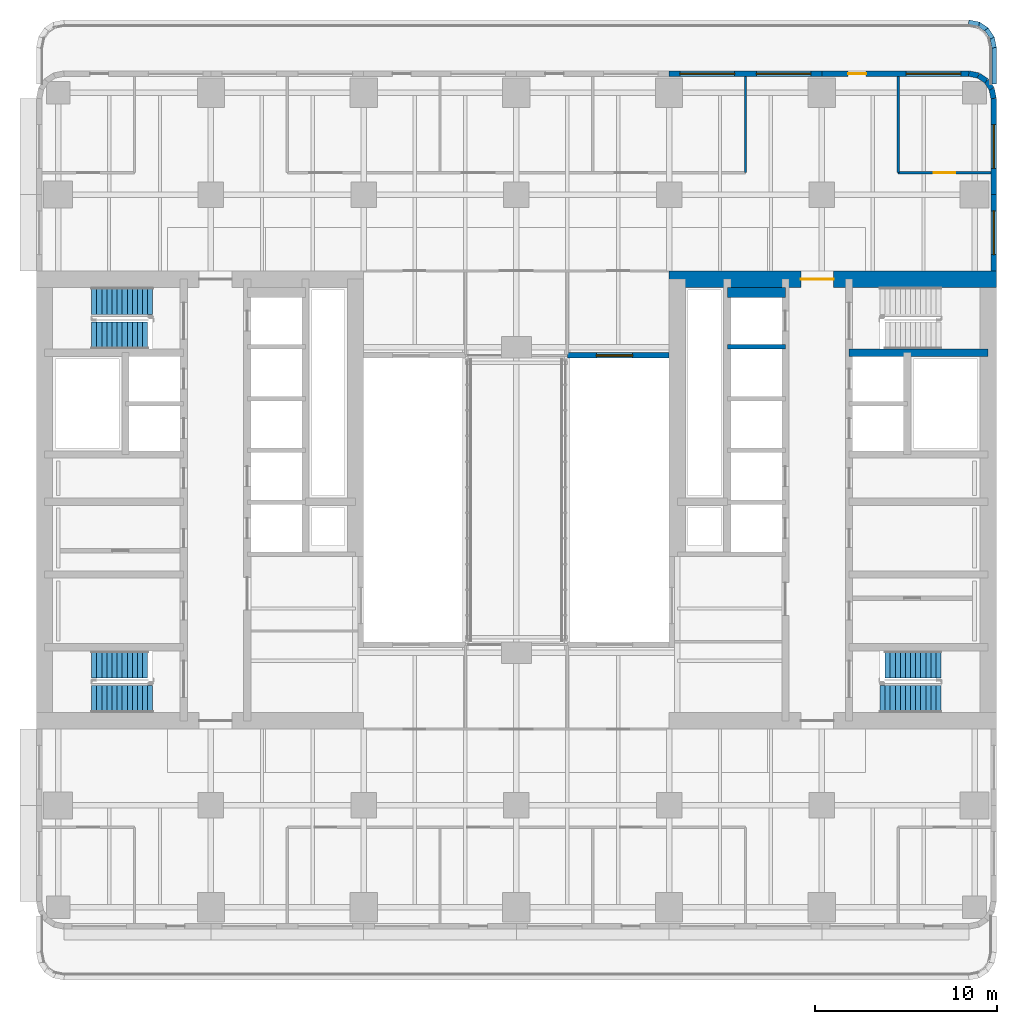
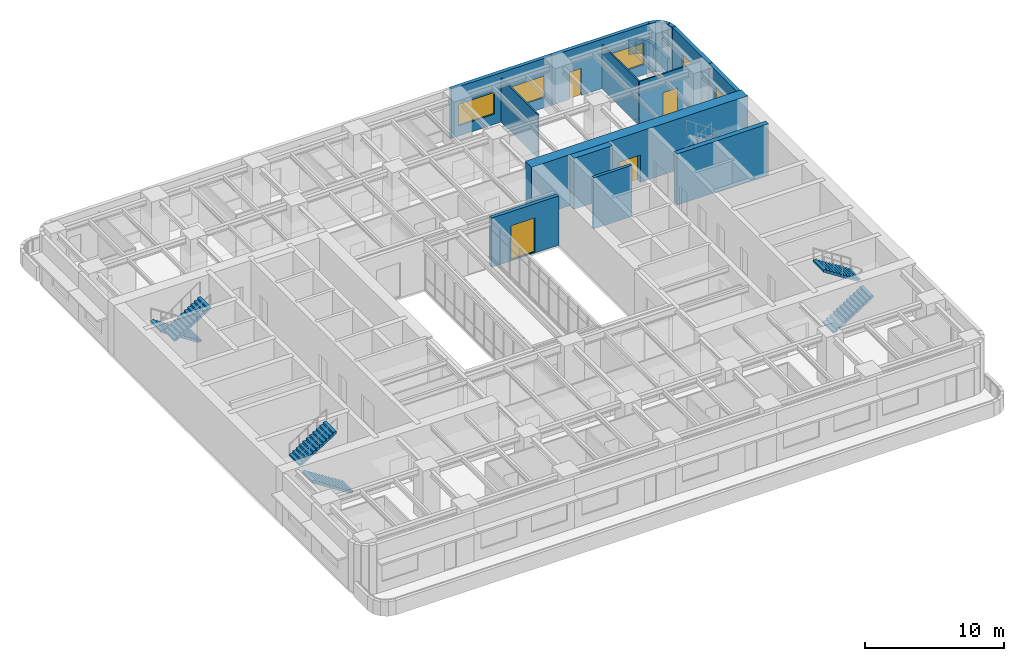
# One storey, part 12 of 17: 21 walls, 6 stair flights, 6 windows, 3 doors, 9 openings, 3 elements without a shape of their own.
"""IFC4 building model written with IfcOpenShell, lengths in metres."""

from ifc_helpers import new_model, si_unit, direction, frame, frame_2d, origin, place, context, subcontext, project, spatial, polyline, rectangle, outline, extrude, material, layer, layer_set, type_object, element, fill, aggregate, save


model = new_model("IFC4")

# Units and contexts
model_context = context("Model", 3, precision=1e-05, world=origin(), true_north=direction((0.0, 1.0)))
body_context = subcontext(model_context, "Body", "Model", "MODEL_VIEW")
ifc_project = project(units=[si_unit("LENGTHUNIT", "METRE"), si_unit("AREAUNIT", "SQUARE_METRE"), si_unit("VOLUMEUNIT", "CUBIC_METRE"), si_unit("PLANEANGLEUNIT", "RADIAN"), si_unit("MASSUNIT", "GRAM", prefix="KILO")], contexts=[model_context])

# Site, building, storey
site_placement = place(None, origin())
site = spatial("IfcSite", under=ifc_project, at=site_placement, CompositionType="ELEMENT")
building_placement = place(site_placement, origin())
building = spatial("IfcBuilding", under=site, at=building_placement, Name="Claustro Exchange Tower", CompositionType="ELEMENT")
storey_placement = place(building_placement, frame((0.0, 0.0, 96.300048828125)))
storey = spatial("IfcBuildingStorey", under=building, at=storey_placement, Name="L21", CompositionType="ELEMENT", Elevation=96.300048828125)

# Wall
ifc_material_1 = material(Name="Laminated glass in aluminium frame", Category="aluminium")
ifc_layer_1 = layer(ifc_material_1, 0.1201171875)
ifc_layer_set_1 = layer_set([ifc_layer_1], Name="Laminated glass in aluminium frame")
wall_type_1 = type_object("IfcWallType", Name="P2 120 glazed partition", PredefinedType="PARTITIONING", material=ifc_layer_set_1)
wall_1_placement = place(storey_placement, frame((37.800048828125, 43.199951171875, 0.0), z_axis=(0.0, 0.0, 1.0), x_axis=(0.0, 1.0, 0.0)))
element("IfcWall", 1, at=wall_1_placement, inside=storey, type_object=wall_type_1, Name="Partition P2 L21", PredefinedType="PARTITIONING", context=body_context, shape_type="SweptSolid", body=[
    extrude(rectangle(XDim=5.302001953125, YDim=0.1201171875, at=frame_2d((2.65087890625, 0.0))), origin(), (0.0, 0.0, 1.0), 3.85986328125),
])

# Wall, opening, door
wall_2_placement = place(storey_placement, frame((46.199951171875, 43.199951171875, 0.0), z_axis=(0.0, 0.0, 1.0), x_axis=(1.0, 0.0, 0.0)))
wall_2 = element("IfcWall", 2, at=wall_2_placement, inside=storey, type_object=wall_type_1, Name="Partition P2 L21", PredefinedType="PARTITIONING", context=body_context, shape_type="SweptSolid", body=[
    extrude(rectangle(XDim=5.10205078125, YDim=0.1201171875, at=frame_2d((2.551025390625, 0.0))), origin(), (0.0, 0.0, 1.0), 3.85986328125),
])
opening_1_placement = place(wall_2_placement, frame((1.949951171875, 0.0, 0.0)))
opening_1 = element("IfcOpeningElement", 3, at=opening_1_placement, cuts=wall_2, Name="Opening D6", PredefinedType="OPENING", context=body_context, shape_type="SweptSolid", body=[
    extrude(rectangle(XDim=1.199951171875, YDim=2.199951171875, at=frame_2d((0.60009765625, 1.10009765625))), frame((0.0, 0.070068359375, 0.0), z_axis=(0.0, -1.0, 0.0), x_axis=(1.0, 0.0, 0.0)), (0.0, 0.0, 1.0), 0.14013671875),
])
ifc_material_2 = material(Name="Timber door, oak veneer", Category="wood")
door_type_1 = type_object("IfcDoorType", Name="D6 1200 x 2200 unequal pair door", OperationType="DOUBLE_DOOR_SINGLE_SWING_OPPOSITE_LEFT", PredefinedType="DOOR", material=ifc_material_2)
door_1_placement = place(opening_1_placement, origin())
door_1 = element("IfcDoor", 4, at=door_1_placement, inside=storey, type_object=door_type_1, Name="Door D6 L21", OperationType="DOUBLE_DOOR_SINGLE_SWING_OPPOSITE_LEFT", OverallHeight=2.199951171875, OverallWidth=1.199951171875, PredefinedType="DOOR", context=body_context, shape_type="SweptSolid", body=[
    extrude(rectangle(XDim=1.199951171875, YDim=2.199951171875, at=frame_2d((0.60009765625, 1.10009765625))), frame((0.0, 0.02490234375, 0.0), z_axis=(0.0, -1.0, 0.0), x_axis=(1.0, 0.0, 0.0)), (0.0, 0.0, 1.0), 0.050048828125),
])
fill(opening_1, door_1)

# Wall
wall_3_placement = place(storey_placement, frame((46.199951171875, 43.199951171875, 0.0), z_axis=(0.0, 0.0, 1.0), x_axis=(0.0, 1.0, 0.0)))
element("IfcWall", 5, at=wall_3_placement, inside=storey, type_object=wall_type_1, Name="Partition P2 L21", PredefinedType="PARTITIONING", context=body_context, shape_type="SweptSolid", body=[
    extrude(rectangle(XDim=5.302001953125, YDim=0.1201171875, at=frame_2d((2.65087890625, 0.0))), origin(), (0.0, 0.0, 1.0), 3.85986328125),
])

# Wall, openings, windows
ifc_material_3 = material(Name="Concrete HA-40 (C40/50), precast, white cement, acid-etched", Category="concrete")
ifc_layer_2 = layer(ifc_material_3, 0.300048828125)
ifc_layer_set_2 = layer_set([ifc_layer_2], Name="Concrete HA-40 (C40/50), precast, white cement, acid-etched")
wall_type_2 = type_object("IfcWallType", Name="PC1 300 precast concrete pier panel", PredefinedType="SOLIDWALL", material=ifc_layer_set_2)
wall_4_placement = place(storey_placement, frame((33.60009765625, 48.64990234375, 0.0), z_axis=(0.0, 0.0, 1.0), x_axis=(1.0, 0.0, 0.0)))
wall_4 = element("IfcWall", 6, at=wall_4_placement, inside=storey, type_object=wall_type_2, Name="Precast pier panel PC1 L21", PredefinedType="SOLIDWALL", context=body_context, shape_type="SweptSolid", body=[
    extrude(rectangle(XDim=8.39990234375, YDim=0.300048828125, at=frame_2d((4.199951171875, 0.0))), origin(), (0.0, 0.0, 1.0), 4.349853515625),
])
opening_2_placement = place(wall_4_placement, frame((0.60009765625, 0.0, 0.89990234375)))
opening_2 = element("IfcOpeningElement", 7, at=opening_2_placement, cuts=wall_4, Name="Opening W1", PredefinedType="OPENING", context=body_context, shape_type="SweptSolid", body=[
    extrude(rectangle(XDim=3.0, YDim=1.89990234375, at=frame_2d((1.5, 0.949951171875))), frame((0.0, 0.159912109375, 0.0), z_axis=(0.0, -1.0, 0.0), x_axis=(1.0, 0.0, 0.0)), (0.0, 0.0, 1.0), 0.320068359375),
])
opening_3_placement = place(wall_4_placement, frame((4.800048828125, 0.0, 0.89990234375)))
opening_3 = element("IfcOpeningElement", 8, at=opening_3_placement, cuts=wall_4, Name="Opening W1", PredefinedType="OPENING", context=body_context, shape_type="SweptSolid", body=[
    extrude(rectangle(XDim=3.0, YDim=1.89990234375, at=frame_2d((1.5, 0.949951171875))), frame((0.0, 0.159912109375, 0.0), z_axis=(0.0, -1.0, 0.0), x_axis=(1.0, 0.0, 0.0)), (0.0, 0.0, 1.0), 0.320068359375),
])
ifc_material_4 = material(Name="Aluminium frame, clear double glazing", Category="aluminium")
window_type_1 = type_object("IfcWindowType", Name="W1 3000 x 1900 window", PartitioningType="SINGLE_PANEL", PredefinedType="WINDOW", material=ifc_material_4)
window_1_placement = place(opening_2_placement, origin())
window_1 = element("IfcWindow", 9, at=window_1_placement, inside=storey, type_object=window_type_1, Name="Window W1 L21", OverallHeight=1.89990234375, OverallWidth=3.0, PartitioningType="SINGLE_PANEL", PredefinedType="WINDOW", context=body_context, shape_type="SweptSolid", body=[
    extrude(rectangle(XDim=3.0, YDim=1.89990234375, at=frame_2d((1.5, 0.949951171875))), frame((0.0, 0.030029296875, 0.0), z_axis=(0.0, -1.0, 0.0), x_axis=(1.0, 0.0, 0.0)), (0.0, 0.0, 1.0), 0.06005859375),
])
fill(opening_2, window_1)
window_2_placement = place(opening_3_placement, origin())
window_2 = element("IfcWindow", 10, at=window_2_placement, inside=storey, type_object=window_type_1, Name="Window W1 L21", OverallHeight=1.89990234375, OverallWidth=3.0, PartitioningType="SINGLE_PANEL", PredefinedType="WINDOW", context=body_context, shape_type="SweptSolid", body=[
    extrude(rectangle(XDim=3.0, YDim=1.89990234375, at=frame_2d((1.5, 0.949951171875))), frame((0.0, 0.030029296875, 0.0), z_axis=(0.0, -1.0, 0.0), x_axis=(1.0, 0.0, 0.0)), (0.0, 0.0, 1.0), 0.06005859375),
])
fill(opening_3, window_2)

# Wall, openings, door, window
wall_5_placement = place(storey_placement, frame((42.0, 48.64990234375, 0.0), z_axis=(0.0, 0.0, 1.0), x_axis=(1.0, 0.0, 0.0)))
wall_5 = element("IfcWall", 11, at=wall_5_placement, inside=storey, type_object=wall_type_2, Name="Precast pier panel PC1 L21", PredefinedType="SOLIDWALL", context=body_context, shape_type="SweptSolid", body=[
    extrude(rectangle(XDim=8.085205078125, YDim=0.300048828125, at=frame_2d((4.04248046875, 0.0))), origin(), (0.0, 0.0, 1.0), 4.349853515625),
])
opening_4_placement = place(wall_5_placement, frame((4.642578125, 0.0, 0.89990234375)))
opening_4 = element("IfcOpeningElement", 12, at=opening_4_placement, cuts=wall_5, Name="Opening W1", PredefinedType="OPENING", context=body_context, shape_type="SweptSolid", body=[
    extrude(rectangle(XDim=3.0, YDim=1.89990234375, at=frame_2d((1.5, 0.949951171875))), frame((0.0, 0.159912109375, 0.0), z_axis=(0.0, -1.0, 0.0), x_axis=(1.0, 0.0, 0.0)), (0.0, 0.0, 1.0), 0.320068359375),
])
opening_5_placement = place(wall_5_placement, frame((1.442626953125, 0.0, 0.0)))
opening_5 = element("IfcOpeningElement", 13, at=opening_5_placement, cuts=wall_5, Name="Opening D-T", PredefinedType="OPENING", context=body_context, shape_type="SweptSolid", body=[
    extrude(rectangle(XDim=1.0, YDim=2.39990234375, at=frame_2d((0.5, 1.199951171875))), frame((0.0, 0.159912109375, 0.0), z_axis=(0.0, -1.0, 0.0), x_axis=(1.0, 0.0, 0.0)), (0.0, 0.0, 1.0), 0.320068359375),
])
ifc_material_5 = material(Name="Aluminium frame, clear double glazing", Category="aluminium")
door_type_2 = type_object("IfcDoorType", Name="D-T 1000 x 2400 terrace door", OperationType="SINGLE_SWING_LEFT", PredefinedType="DOOR", material=ifc_material_5)
door_2_placement = place(opening_5_placement, origin())
door_2 = element("IfcDoor", 14, at=door_2_placement, inside=storey, type_object=door_type_2, Name="Terrace door D-T L21", OperationType="SINGLE_SWING_RIGHT", OverallHeight=2.39990234375, OverallWidth=1.0, PredefinedType="DOOR", context=body_context, shape_type="SweptSolid", body=[
    extrude(rectangle(XDim=1.0, YDim=2.39990234375, at=frame_2d((0.5, 1.199951171875))), frame((0.0, 0.02490234375, 0.0), z_axis=(0.0, -1.0, 0.0), x_axis=(1.0, 0.0, 0.0)), (0.0, 0.0, 1.0), 0.050048828125),
])
fill(opening_5, door_2)
window_3_placement = place(opening_4_placement, origin())
window_3 = element("IfcWindow", 15, at=window_3_placement, inside=storey, type_object=window_type_1, Name="Window W1 L21", OverallHeight=1.89990234375, OverallWidth=3.0, PartitioningType="SINGLE_PANEL", PredefinedType="WINDOW", context=body_context, shape_type="SweptSolid", body=[
    extrude(rectangle(XDim=3.0, YDim=1.89990234375, at=frame_2d((1.5, 0.949951171875))), frame((0.0, 0.030029296875, 0.0), z_axis=(0.0, -1.0, 0.0), x_axis=(1.0, 0.0, 0.0)), (0.0, 0.0, 1.0), 0.06005859375),
])
fill(opening_4, window_3)

# Walls
wall_6_placement = place(storey_placement, frame((50.085205078125, 48.64990234375, 0.0), z_axis=(0.0, 0.0, 1.0), x_axis=(0.980788534345, -0.195073962632, 0.0)))
element("IfcWall", 16, at=wall_6_placement, inside=storey, type_object=wall_type_2, Name="Precast pier panel PC1 L21", PredefinedType="SOLIDWALL", context=body_context, shape_type="SweptSolid", body=[
    extrude(rectangle(XDim=0.540771484375, YDim=0.300048828125, at=frame_2d((0.2705078125, 0.0))), origin(), (0.0, 0.0, 1.0), 4.349853515625),
])
wall_7_placement = place(storey_placement, frame((50.615478515625, 48.54443359375, 0.0), z_axis=(0.0, 0.0, 1.0), x_axis=(0.831692711774, -0.555236195849, 0.0)))
element("IfcWall", 17, at=wall_7_placement, inside=storey, type_object=wall_type_2, Name="Precast pier panel PC1 L21", PredefinedType="SOLIDWALL", context=body_context, shape_type="SweptSolid", body=[
    extrude(rectangle(XDim=0.525390625, YDim=0.300048828125, at=frame_2d((0.2626953125, 0.0))), origin(), (0.0, 0.0, 1.0), 4.349853515625),
])
wall_8_placement = place(storey_placement, frame((51.052490234375, 48.252685546875, 0.0), z_axis=(0.0, 0.0, 1.0), x_axis=(0.55534295404, -0.831621430339, 0.0)))
element("IfcWall", 18, at=wall_8_placement, inside=storey, type_object=wall_type_2, Name="Precast pier panel PC1 L21", PredefinedType="SOLIDWALL", context=body_context, shape_type="SweptSolid", body=[
    extrude(rectangle(XDim=0.52587890625, YDim=0.300048828125, at=frame_2d((0.262939453125, 0.0))), origin(), (0.0, 0.0, 1.0), 4.349853515625),
])
wall_9_placement = place(storey_placement, frame((51.344482421875, 47.8154296875, 0.0), z_axis=(0.0, 0.0, 1.0), x_axis=(0.195073962632, -0.980788534345, 0.0)))
element("IfcWall", 19, at=wall_9_placement, inside=storey, type_object=wall_type_2, Name="Precast pier panel PC1 L21", PredefinedType="SOLIDWALL", context=body_context, shape_type="SweptSolid", body=[
    extrude(rectangle(XDim=0.540771484375, YDim=0.300048828125, at=frame_2d((0.2705078125, 0.0))), origin(), (0.0, 0.0, 1.0), 4.349853515625),
])

# Wall, opening, window
wall_10_placement = place(storey_placement, frame((51.449951171875, 47.28515625, 0.0), z_axis=(0.0, 0.0, 1.0), x_axis=(0.0, -1.0, 0.0)))
wall_10 = element("IfcWall", 20, at=wall_10_placement, inside=storey, type_object=wall_type_2, Name="Precast pier panel PC1 L21", PredefinedType="SOLIDWALL", context=body_context, shape_type="SweptSolid", body=[
    extrude(rectangle(XDim=5.28515625, YDim=0.300048828125, at=frame_2d((2.642578125, 0.0))), origin(), (0.0, 0.0, 1.0), 4.349853515625),
])
opening_6_placement = place(wall_10_placement, frame((1.442626953125, 0.0, 0.89990234375)))
opening_6 = element("IfcOpeningElement", 21, at=opening_6_placement, cuts=wall_10, Name="Opening W2", PredefinedType="OPENING", context=body_context, shape_type="SweptSolid", body=[
    extrude(rectangle(XDim=2.39990234375, YDim=1.89990234375, at=frame_2d((1.199951171875, 0.949951171875))), frame((0.0, 0.159912109375, 0.0), z_axis=(0.0, -1.0, 0.0), x_axis=(1.0, 0.0, 0.0)), (0.0, 0.0, 1.0), 0.320068359375),
])
ifc_material_6 = material(Name="Aluminium frame, clear double glazing", Category="aluminium")
window_type_2 = type_object("IfcWindowType", Name="W2 2400 x 1900 window", PartitioningType="SINGLE_PANEL", PredefinedType="WINDOW", material=ifc_material_6)
window_4_placement = place(opening_6_placement, origin())
window_4 = element("IfcWindow", 22, at=window_4_placement, inside=storey, type_object=window_type_2, Name="Window W2 L21", OverallHeight=1.89990234375, OverallWidth=2.39990234375, PartitioningType="SINGLE_PANEL", PredefinedType="WINDOW", context=body_context, shape_type="SweptSolid", body=[
    extrude(rectangle(XDim=2.39990234375, YDim=1.89990234375, at=frame_2d((1.199951171875, 0.949951171875))), frame((0.0, 0.030029296875, 0.0), z_axis=(0.0, -1.0, 0.0), x_axis=(1.0, 0.0, 0.0)), (0.0, 0.0, 1.0), 0.06005859375),
])
fill(opening_6, window_4)

wall_11_placement = place(storey_placement, frame((51.449951171875, 42.0, 0.0), z_axis=(0.0, 0.0, 1.0), x_axis=(0.0, -1.0, 0.0)))
wall_11 = element("IfcWall", 23, at=wall_11_placement, inside=storey, type_object=wall_type_2, Name="Precast pier panel PC1 L21", PredefinedType="SOLIDWALL", context=body_context, shape_type="SweptSolid", body=[
    extrude(rectangle(XDim=4.199951171875, YDim=0.300048828125, at=frame_2d((2.10009765625, 0.0))), origin(), (0.0, 0.0, 1.0), 4.349853515625),
])
opening_7_placement = place(wall_11_placement, frame((0.89990234375, 0.0, 0.89990234375)))
opening_7 = element("IfcOpeningElement", 24, at=opening_7_placement, cuts=wall_11, Name="Opening W2", PredefinedType="OPENING", context=body_context, shape_type="SweptSolid", body=[
    extrude(rectangle(XDim=2.39990234375, YDim=1.89990234375, at=frame_2d((1.199951171875, 0.949951171875))), frame((0.0, 0.159912109375, 0.0), z_axis=(0.0, -1.0, 0.0), x_axis=(1.0, 0.0, 0.0)), (0.0, 0.0, 1.0), 0.320068359375),
])
window_5_placement = place(opening_7_placement, origin())
window_5 = element("IfcWindow", 25, at=window_5_placement, inside=storey, type_object=window_type_2, Name="Window W2 L21", OverallHeight=1.89990234375, OverallWidth=2.39990234375, PartitioningType="SINGLE_PANEL", PredefinedType="WINDOW", context=body_context, shape_type="SweptSolid", body=[
    extrude(rectangle(XDim=2.39990234375, YDim=1.89990234375, at=frame_2d((1.199951171875, 0.949951171875))), frame((0.0, 0.030029296875, 0.0), z_axis=(0.0, -1.0, 0.0), x_axis=(1.0, 0.0, 0.0)), (0.0, 0.0, 1.0), 0.06005859375),
])
fill(opening_7, window_5)

wall_12_placement = place(storey_placement, frame((28.0, 33.14990234375, 0.0), z_axis=(0.0, 0.0, 1.0), x_axis=(1.0, 0.0, 0.0)))
wall_12 = element("IfcWall", 26, at=wall_12_placement, inside=storey, type_object=wall_type_2, Name="Precast pier panel PC1 L21", PredefinedType="SOLIDWALL", context=body_context, shape_type="SweptSolid", body=[
    extrude(rectangle(XDim=5.60009765625, YDim=0.300048828125, at=frame_2d((2.800048828125, 0.0))), origin(), (0.0, 0.0, 1.0), 4.349853515625),
])
opening_8_placement = place(wall_12_placement, frame((1.60009765625, 0.0, 0.10009765625)))
opening_8 = element("IfcOpeningElement", 27, at=opening_8_placement, cuts=wall_12, Name="Opening W-A", PredefinedType="OPENING", context=body_context, shape_type="SweptSolid", body=[
    extrude(rectangle(XDim=2.0, YDim=3.0, at=frame_2d((1.0, 1.5))), frame((0.0, 0.159912109375, 0.0), z_axis=(0.0, -1.0, 0.0), x_axis=(1.0, 0.0, 0.0)), (0.0, 0.0, 1.0), 0.320068359375),
])
ifc_material_7 = material(Name="Aluminium frame, clear double glazing", Category="aluminium")
window_type_3 = type_object("IfcWindowType", Name="W-A 2000 x 3000 arcade window", PartitioningType="SINGLE_PANEL", PredefinedType="WINDOW", material=ifc_material_7)
window_6_placement = place(opening_8_placement, origin())
window_6 = element("IfcWindow", 28, at=window_6_placement, inside=storey, type_object=window_type_3, Name="Window W-A L21", OverallHeight=3.0, OverallWidth=2.0, PartitioningType="SINGLE_PANEL", PredefinedType="WINDOW", context=body_context, shape_type="SweptSolid", body=[
    extrude(rectangle(XDim=2.0, YDim=3.0, at=frame_2d((1.0, 1.5))), frame((0.0, 0.030029296875, 0.0), z_axis=(0.0, -1.0, 0.0), x_axis=(1.0, 0.0, 0.0)), (0.0, 0.0, 1.0), 0.06005859375),
])
fill(opening_8, window_6)

# Walls
ifc_material_8 = material(Name="Concrete HA-40 (C40/50), precast, white cement, acid-etched", Category="concrete")
ifc_layer_3 = layer(ifc_material_8, 0.25)
ifc_layer_set_3 = layer_set([ifc_layer_3], Name="Concrete HA-40 (C40/50), precast, white cement, acid-etched")
wall_type_3 = type_object("IfcWallType", Name="PP1 250 precast concrete parapet", PredefinedType="PARAPET", material=ifc_layer_set_3)
for number, where, z_axis, x_axis, name in (
    (29, (50.07568359375, 51.477294921875, -0.16015625), (0.0, 0.0, 1.0), (0.980836573739, -0.1948322756, 0.0), "Parapet PP1 roof at +96.140"),
    (30, (50.6044921875, 51.3818359375, -0.16015625), (0.0, 0.0, 1.0), (0.831729296682, -0.555181391115, 0.0), "Parapet PP1 roof at +96.140"),
    (31, (51.056884765625, 51.09130859375, -0.16015625), (0.0, 0.0, 1.0), (0.555181391115, -0.831729296682, 0.0), "Parapet PP1 roof at +96.140"),
    (32, (51.36328125, 50.649658203125, -0.16015625), (0.0, 0.0, 1.0), (0.1948322756, -0.980836573739, 0.0), "Parapet PP1 roof at +96.140"),
):
    element("IfcWall", number, at=place(storey_placement, frame(where, z_axis=z_axis, x_axis=x_axis)), inside=storey, type_object=wall_type_3, Name=name, PredefinedType="PARAPET", context=body_context, shape_type="SweptSolid", body=[
        extrude(rectangle(XDim=0.585205078125, YDim=0.25, at=frame_2d((0.29248046875, 0.0))), origin(), (0.0, 0.0, 1.0), 1.260009765625),
    ])
wall_13_placement = place(storey_placement, frame((51.47509765625, 50.10009765625, -0.16015625), z_axis=(0.0, 0.0, 1.0), x_axis=(0.0, -1.0, 0.0)))
element("IfcWall", 33, at=wall_13_placement, inside=storey, type_object=wall_type_3, Name="Parapet PP1 roof at +96.140", PredefinedType="PARAPET", context=body_context, shape_type="SweptSolid", body=[
    extrude(rectangle(XDim=2.023193359375, YDim=0.25, at=frame_2d((1.01171875, 0.0))), origin(), (0.0, 0.0, 1.0), 1.260009765625),
])

# Wall, opening, door
ifc_material_9 = material(Name="Concrete HA-70 (C70/85)", Category="concrete")
ifc_layer_4 = layer(ifc_material_9, 0.89990234375)
ifc_layer_set_4 = layer_set([ifc_layer_4], Name="Concrete HA-70 (C70/85)")
wall_type_4 = type_object("IfcWallType", Name="SW1 900 core shear wall", PredefinedType="SHEAR", material=ifc_layer_set_4)
wall_14_placement = place(storey_placement, frame((33.60009765625, 37.35009765625, 0.0), z_axis=(0.0, 0.0, 1.0), x_axis=(1.0, 0.0, 0.0)))
wall_14 = element("IfcWall", 34, at=wall_14_placement, inside=storey, type_object=wall_type_4, Name="Core wall SW1 E core N face L21", PredefinedType="SHEAR", context=body_context, shape_type="SweptSolid", body=[
    extrude(rectangle(XDim=18.0, YDim=0.89990234375, at=frame_2d((9.0, 0.0))), origin(), (0.0, 0.0, 1.0), 4.5),
])
opening_9_placement = place(wall_14_placement, frame((7.25, 0.0, 0.0)))
opening_9 = element("IfcOpeningElement", 35, at=opening_9_placement, cuts=wall_14, Name="Opening D3", PredefinedType="OPENING", context=body_context, shape_type="SweptSolid", body=[
    extrude(rectangle(XDim=1.800048828125, YDim=2.39990234375, at=frame_2d((0.89990234375, 1.199951171875))), frame((0.0, 0.4599609375, 0.0), z_axis=(0.0, -1.0, 0.0), x_axis=(1.0, 0.0, 0.0)), (0.0, 0.0, 1.0), 0.919921875),
])
ifc_material_10 = material(Name="Steel fire door, painted", Category="steel")
door_type_3 = type_object("IfcDoorType", Name="D3 1800 x 2400 fire-rated lobby double door", OperationType="DOUBLE_DOOR_SINGLE_SWING", PredefinedType="DOOR", material=ifc_material_10)
door_3_placement = place(opening_9_placement, frame((1.800048828125, 0.0, 0.0), z_axis=(0.0, 0.0, 1.0), x_axis=(-1.0, 0.0, 0.0)))
door_3 = element("IfcDoor", 36, at=door_3_placement, inside=storey, type_object=door_type_3, Name="Lift lobby door D3 L21", OperationType="DOUBLE_DOOR_SINGLE_SWING", OverallHeight=2.39990234375, OverallWidth=1.800048828125, PredefinedType="DOOR", context=body_context, shape_type="SweptSolid", body=[
    extrude(rectangle(XDim=1.800048828125, YDim=2.39990234375, at=frame_2d((0.89990234375, 1.199951171875))), frame((0.0, 0.02490234375, 0.0), z_axis=(0.0, -1.0, 0.0), x_axis=(1.0, 0.0, 0.0)), (0.0, 0.0, 1.0), 0.050048828125),
])
fill(opening_9, door_3)

# Walls
ifc_material_11 = material(Name="Concrete HA-50 (C50/60)", Category="concrete")
ifc_layer_5 = layer(ifc_material_11, 0.39990234375)
ifc_layer_set_5 = layer_set([ifc_layer_5], Name="Concrete HA-50 (C50/60)")
wall_type_5 = type_object("IfcWallType", Name="SW4 400 internal core wall", PredefinedType="SHEAR", material=ifc_layer_set_5)
wall_15_placement = place(storey_placement, frame((51.14990234375, 33.300048828125, 0.0), z_axis=(0.0, 0.0, 1.0), x_axis=(-1.0, 0.0, 0.0)))
element("IfcWall", 37, at=wall_15_placement, inside=storey, type_object=wall_type_5, Name="Internal core wall SW4 E core L21", PredefinedType="SHEAR", context=body_context, shape_type="SweptSolid", body=[
    extrude(rectangle(XDim=7.64990234375, YDim=0.39990234375, at=frame_2d((3.824951171875, 0.0))), origin(), (0.0, 0.0, 1.0), 4.5),
])
ifc_material_12 = material(Name="Concrete HA-50 (C50/60)", Category="concrete")
ifc_layer_6 = layer(ifc_material_12, 0.25)
ifc_layer_set_6 = layer_set([ifc_layer_6], Name="Concrete HA-50 (C50/60)")
wall_type_6 = type_object("IfcWallType", Name="SW5 250 lift shaft divider wall", PredefinedType="SHEAR", material=ifc_layer_set_6)
wall_16_placement = place(storey_placement, frame((40.0, 33.625, 0.0), z_axis=(0.0, 0.0, 1.0), x_axis=(-1.0, 0.0, 0.0)))
element("IfcWall", 38, at=wall_16_placement, inside=storey, type_object=wall_type_6, Name="Lift shaft wall E core L21", PredefinedType="SHEAR", context=body_context, shape_type="SweptSolid", body=[
    extrude(rectangle(XDim=3.199951171875, YDim=0.25, at=frame_2d((1.60009765625, 0.0))), origin(), (0.0, 0.0, 1.0), 4.5),
])
ifc_material_13 = material(Name="Concrete HA-50 (C50/60)", Category="concrete")
ifc_layer_7 = layer(ifc_material_13, 0.550048828125)
ifc_layer_set_7 = layer_set([ifc_layer_7], Name="Concrete HA-50 (C50/60)")
wall_type_7 = type_object("IfcWallType", Name="SW6 550 lift shaft end wall", PredefinedType="SHEAR", material=ifc_layer_set_7)
wall_17_placement = place(storey_placement, frame((40.0, 36.625, 0.0), z_axis=(0.0, 0.0, 1.0), x_axis=(-1.0, 0.0, 0.0)))
element("IfcWall", 39, at=wall_17_placement, inside=storey, type_object=wall_type_7, Name="Lift shaft wall E core L21", PredefinedType="SHEAR", context=body_context, shape_type="SweptSolid", body=[
    extrude(rectangle(XDim=3.199951171875, YDim=0.550048828125, at=frame_2d((1.60009765625, 0.0))), origin(), (0.0, 0.0, 1.0), 4.5),
])

# Stair, stair flight
ifc_material_14 = material(Name="Concrete HA-30 (C30/37), precast", Category="concrete")
stair_type = type_object("IfcStairType", Name="ST2 half-turn stair, 25 risers of 180", PredefinedType="HALF_TURN_STAIR", material=ifc_material_14)
stair_1_placement = place(storey_placement, origin())
stair_1 = element("IfcStair", 40, at=stair_1_placement, inside=storey, type_object=stair_type, Name="Stair STWA L21", PredefinedType="HALF_TURN_STAIR")
ifc_material_15 = material(Name="Concrete HA-30 (C30/37), precast", Category="concrete")
stair_flight_type_1 = type_object("IfcStairFlightType", Name="SF12B straight flight, 12 risers of 180, 1500 wide", PredefinedType="STRAIGHT", material=ifc_material_15)
stair_flight_1_placement = place(storey_placement, frame((1.840087890625, 16.14990234375, 2.33984375), z_axis=(0.0, 0.0, 1.0), x_axis=(1.0, 0.0, 0.0)))
stair_flight_1 = element("IfcStairFlight", 41, at=stair_flight_1_placement, type_object=stair_flight_type_1, Name="STWA flight 2", NumberOfRisers=12, NumberOfTreads=11, PredefinedType="STRAIGHT", RiserHeight=0.18, TreadLength=0.28, context=body_context, shape_type="SweptSolid", body=[
    extrude(outline(polyline([(0.0, 0.0), (0.0, 0.179931640625), (0.280029296875, 0.179931640625), (0.280029296875, 0.360107421875), (0.56005859375, 0.360107421875), (0.56005859375, 0.5400390625), (0.840087890625, 0.5400390625), (0.840087890625, 0.719970703125), (1.1201171875, 0.719970703125), (1.1201171875, 0.89990234375), (1.39990234375, 0.89990234375), (1.39990234375, 1.080078125), (1.679931640625, 1.080078125), (1.679931640625, 1.260009765625), (1.9599609375, 1.260009765625), (1.9599609375, 1.43994140625), (2.239990234375, 1.43994140625), (2.239990234375, 1.6201171875), (2.52001953125, 1.6201171875), (2.52001953125, 1.800048828125), (2.800048828125, 1.800048828125), (2.800048828125, 1.97998046875), (3.080078125, 1.97998046875), (3.080078125, 2.159912109375), (3.080078125, 1.8017578125), (0.277099609375, 0.0), (0.0, 0.0)])), frame((0.0, 0.75, 0.0), z_axis=(0.0, -1.0, 0.0), x_axis=(1.0, 0.0, 0.0)), (0.0, 0.0, 1.0), 1.5),
])

stair_2_placement = place(storey_placement, origin())
stair_2 = element("IfcStair", 42, at=stair_2_placement, inside=storey, type_object=stair_type, Name="Stair STWB L21", PredefinedType="HALF_TURN_STAIR")
stair_flight_2_placement = place(storey_placement, frame((1.840087890625, 34.25, 2.33984375), z_axis=(0.0, 0.0, 1.0), x_axis=(1.0, 0.0, 0.0)))
stair_flight_2 = element("IfcStairFlight", 43, at=stair_flight_2_placement, type_object=stair_flight_type_1, Name="STWB flight 2", NumberOfRisers=12, NumberOfTreads=11, PredefinedType="STRAIGHT", RiserHeight=0.18, TreadLength=0.28, context=body_context, shape_type="SweptSolid", body=[
    extrude(outline(polyline([(0.0, 0.0), (0.0, 0.179931640625), (0.280029296875, 0.179931640625), (0.280029296875, 0.360107421875), (0.56005859375, 0.360107421875), (0.56005859375, 0.5400390625), (0.840087890625, 0.5400390625), (0.840087890625, 0.719970703125), (1.1201171875, 0.719970703125), (1.1201171875, 0.89990234375), (1.39990234375, 0.89990234375), (1.39990234375, 1.080078125), (1.679931640625, 1.080078125), (1.679931640625, 1.260009765625), (1.9599609375, 1.260009765625), (1.9599609375, 1.43994140625), (2.239990234375, 1.43994140625), (2.239990234375, 1.6201171875), (2.52001953125, 1.6201171875), (2.52001953125, 1.800048828125), (2.800048828125, 1.800048828125), (2.800048828125, 1.97998046875), (3.080078125, 1.97998046875), (3.080078125, 2.159912109375), (3.080078125, 1.8017578125), (0.277099609375, 0.0), (0.0, 0.0)])), frame((0.0, 0.75, 0.0), z_axis=(0.0, -1.0, 0.0), x_axis=(1.0, 0.0, 0.0)), (0.0, 0.0, 1.0), 1.5),
])

stair_3_placement = place(storey_placement, origin())
stair_3 = element("IfcStair", 44, at=stair_3_placement, inside=storey, type_object=stair_type, Name="Stair STEA L21", PredefinedType="HALF_TURN_STAIR")
stair_flight_3_placement = place(storey_placement, frame((48.56005859375, 16.14990234375, 2.33984375), z_axis=(0.0, 0.0, 1.0), x_axis=(-1.0, 0.0, 0.0)))
stair_flight_3 = element("IfcStairFlight", 45, at=stair_flight_3_placement, type_object=stair_flight_type_1, Name="STEA flight 2", NumberOfRisers=12, NumberOfTreads=11, PredefinedType="STRAIGHT", RiserHeight=0.18, TreadLength=0.28, context=body_context, shape_type="SweptSolid", body=[
    extrude(outline(polyline([(0.0, 0.0), (0.0, 0.179931640625), (0.280029296875, 0.179931640625), (0.280029296875, 0.360107421875), (0.56005859375, 0.360107421875), (0.56005859375, 0.5400390625), (0.840087890625, 0.5400390625), (0.840087890625, 0.719970703125), (1.1201171875, 0.719970703125), (1.1201171875, 0.89990234375), (1.39990234375, 0.89990234375), (1.39990234375, 1.080078125), (1.679931640625, 1.080078125), (1.679931640625, 1.260009765625), (1.9599609375, 1.260009765625), (1.9599609375, 1.43994140625), (2.239990234375, 1.43994140625), (2.239990234375, 1.6201171875), (2.52001953125, 1.6201171875), (2.52001953125, 1.800048828125), (2.800048828125, 1.800048828125), (2.800048828125, 1.97998046875), (3.080078125, 1.97998046875), (3.080078125, 2.159912109375), (3.080078125, 1.8017578125), (0.277099609375, 0.0), (0.0, 0.0)])), frame((0.0, 0.75, 0.0), z_axis=(0.0, -1.0, 0.0), x_axis=(1.0, 0.0, 0.0)), (0.0, 0.0, 1.0), 1.5),
])

# Stair flight
ifc_material_16 = material(Name="Concrete HA-30 (C30/37), precast", Category="concrete")
stair_flight_type_2 = type_object("IfcStairFlightType", Name="SF13 straight flight, 13 risers of 180, 1500 wide", PredefinedType="STRAIGHT", material=ifc_material_16)
stair_flight_4_placement = place(storey_placement, frame((5.199951171875, 14.25, 0.0), z_axis=(0.0, 0.0, 1.0), x_axis=(-1.0, 0.0, 0.0)))
stair_flight_4 = element("IfcStairFlight", 46, at=stair_flight_4_placement, type_object=stair_flight_type_2, Name="STWA flight 1", NumberOfRisers=13, NumberOfTreads=12, PredefinedType="STRAIGHT", RiserHeight=0.18, TreadLength=0.28, context=body_context, shape_type="SweptSolid", body=[
    extrude(outline(polyline([(0.0, 0.0), (0.0, 0.179931640625), (0.280029296875, 0.179931640625), (0.280029296875, 0.360107421875), (0.56005859375, 0.360107421875), (0.56005859375, 0.5400390625), (0.840087890625, 0.5400390625), (0.840087890625, 0.719970703125), (1.1201171875, 0.719970703125), (1.1201171875, 0.89990234375), (1.39990234375, 0.89990234375), (1.39990234375, 1.080078125), (1.679931640625, 1.080078125), (1.679931640625, 1.260009765625), (1.9599609375, 1.260009765625), (1.9599609375, 1.43994140625), (2.239990234375, 1.43994140625), (2.239990234375, 1.6201171875), (2.52001953125, 1.6201171875), (2.52001953125, 1.800048828125), (2.800048828125, 1.800048828125), (2.800048828125, 1.97998046875), (3.080078125, 1.97998046875), (3.080078125, 2.159912109375), (3.360107421875, 2.159912109375), (3.360107421875, 2.340087890625), (3.360107421875, 1.981689453125), (0.277099609375, 0.0), (0.0, 0.0)])), frame((0.0, 0.75, 0.0), z_axis=(0.0, -1.0, 0.0), x_axis=(1.0, 0.0, 0.0)), (0.0, 0.0, 1.0), 1.5),
])

aggregate(stair_1, [stair_flight_4, stair_flight_1])

stair_flight_5_placement = place(storey_placement, frame((5.199951171875, 36.14990234375, 0.0), z_axis=(0.0, 0.0, 1.0), x_axis=(-1.0, 0.0, 0.0)))
stair_flight_5 = element("IfcStairFlight", 47, at=stair_flight_5_placement, type_object=stair_flight_type_2, Name="STWB flight 1", NumberOfRisers=13, NumberOfTreads=12, PredefinedType="STRAIGHT", RiserHeight=0.18, TreadLength=0.28, context=body_context, shape_type="SweptSolid", body=[
    extrude(outline(polyline([(0.0, 0.0), (0.0, 0.179931640625), (0.280029296875, 0.179931640625), (0.280029296875, 0.360107421875), (0.56005859375, 0.360107421875), (0.56005859375, 0.5400390625), (0.840087890625, 0.5400390625), (0.840087890625, 0.719970703125), (1.1201171875, 0.719970703125), (1.1201171875, 0.89990234375), (1.39990234375, 0.89990234375), (1.39990234375, 1.080078125), (1.679931640625, 1.080078125), (1.679931640625, 1.260009765625), (1.9599609375, 1.260009765625), (1.9599609375, 1.43994140625), (2.239990234375, 1.43994140625), (2.239990234375, 1.6201171875), (2.52001953125, 1.6201171875), (2.52001953125, 1.800048828125), (2.800048828125, 1.800048828125), (2.800048828125, 1.97998046875), (3.080078125, 1.97998046875), (3.080078125, 2.159912109375), (3.360107421875, 2.159912109375), (3.360107421875, 2.340087890625), (3.360107421875, 1.981689453125), (0.277099609375, 0.0), (0.0, 0.0)])), frame((0.0, 0.75, 0.0), z_axis=(0.0, -1.0, 0.0), x_axis=(1.0, 0.0, 0.0)), (0.0, 0.0, 1.0), 1.5),
])

aggregate(stair_2, [stair_flight_5, stair_flight_2])

stair_flight_6_placement = place(storey_placement, frame((45.199951171875, 14.25, 0.0), z_axis=(0.0, 0.0, 1.0), x_axis=(1.0, 0.0, 0.0)))
stair_flight_6 = element("IfcStairFlight", 48, at=stair_flight_6_placement, type_object=stair_flight_type_2, Name="STEA flight 1", NumberOfRisers=13, NumberOfTreads=12, PredefinedType="STRAIGHT", RiserHeight=0.18, TreadLength=0.28, context=body_context, shape_type="SweptSolid", body=[
    extrude(outline(polyline([(0.0, 0.0), (0.0, 0.179931640625), (0.280029296875, 0.179931640625), (0.280029296875, 0.360107421875), (0.56005859375, 0.360107421875), (0.56005859375, 0.5400390625), (0.840087890625, 0.5400390625), (0.840087890625, 0.719970703125), (1.1201171875, 0.719970703125), (1.1201171875, 0.89990234375), (1.39990234375, 0.89990234375), (1.39990234375, 1.080078125), (1.679931640625, 1.080078125), (1.679931640625, 1.260009765625), (1.9599609375, 1.260009765625), (1.9599609375, 1.43994140625), (2.239990234375, 1.43994140625), (2.239990234375, 1.6201171875), (2.52001953125, 1.6201171875), (2.52001953125, 1.800048828125), (2.800048828125, 1.800048828125), (2.800048828125, 1.97998046875), (3.080078125, 1.97998046875), (3.080078125, 2.159912109375), (3.360107421875, 2.159912109375), (3.360107421875, 2.340087890625), (3.360107421875, 1.981689453125), (0.277099609375, 0.0), (0.0, 0.0)])), frame((0.0, 0.75, 0.0), z_axis=(0.0, -1.0, 0.0), x_axis=(1.0, 0.0, 0.0)), (0.0, 0.0, 1.0), 1.5),
])

aggregate(stair_3, [stair_flight_6, stair_flight_3])

save(model, "model.ifc")
